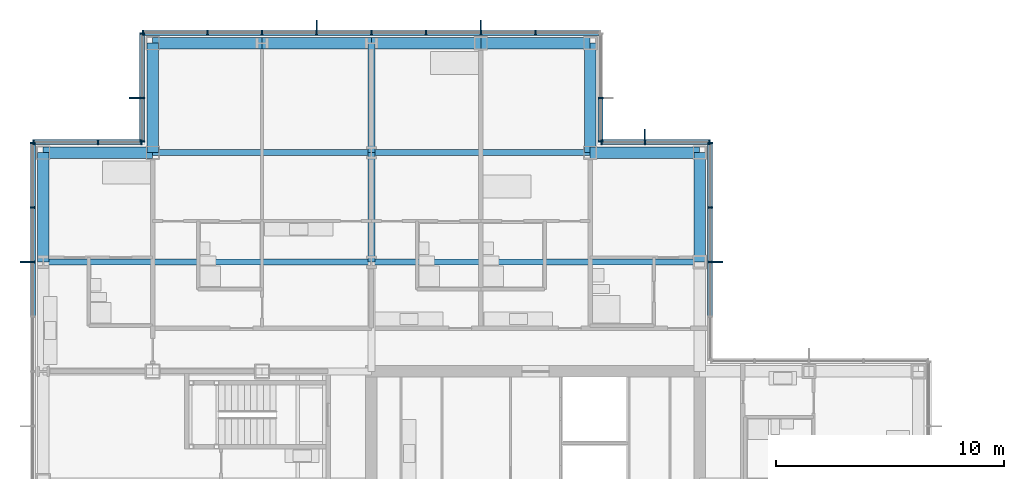
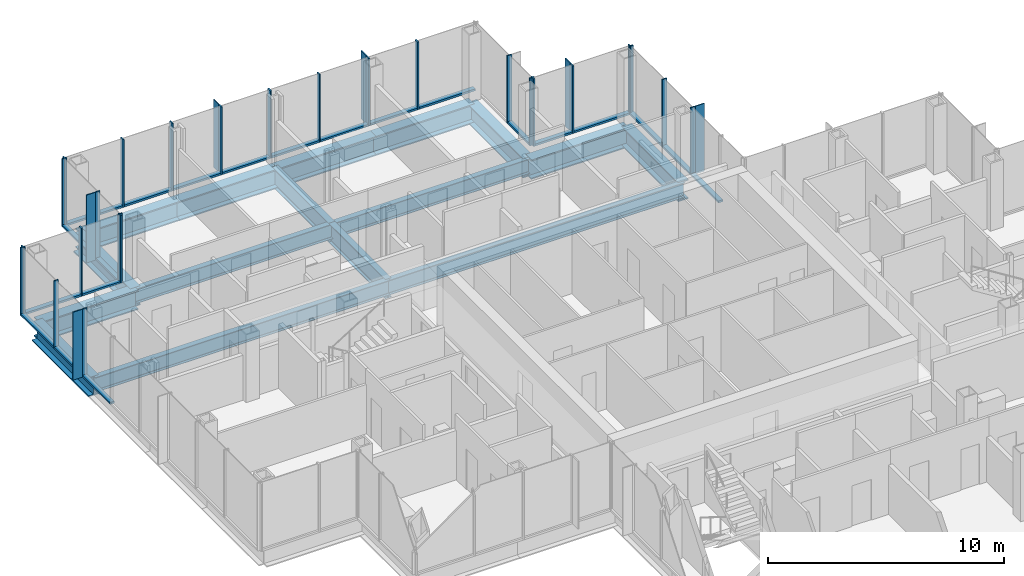
# One storey, part 10 of 20: 52 members, 16 beams, 7 elements without a shape of their own.
"""IFC4 building model written with IfcOpenShell, lengths in metres."""

from ifc_helpers import new_model, si_unit, direction, frame, origin, origin_2d, place, context, subcontext, project, spatial, rectangle, i_section, extrude, material, material_profile, profile_set, type_object, element, aggregate, save


model = new_model("IFC4")

# Units and contexts
model_context = context("Model", 3, precision=1e-05, world=origin(), true_north=direction((0.0, 1.0)))
body_context = subcontext(model_context, "Body", "Model", "MODEL_VIEW")
ifc_project = project(units=[si_unit("LENGTHUNIT", "METRE"), si_unit("AREAUNIT", "SQUARE_METRE"), si_unit("VOLUMEUNIT", "CUBIC_METRE"), si_unit("PLANEANGLEUNIT", "RADIAN"), si_unit("MASSUNIT", "GRAM", prefix="KILO")], contexts=[model_context])

# Site, building, storey
site_placement = place(None, origin())
site = spatial("IfcSite", under=ifc_project, at=site_placement, CompositionType="ELEMENT")
building_placement = place(site_placement, origin())
building = spatial("IfcBuilding", under=site, at=building_placement, Name="Kvirike Care Tower", CompositionType="ELEMENT")
storey_placement = place(building_placement, frame((0.0, 0.0, 94.5)))
storey = spatial("IfcBuildingStorey", under=building, at=storey_placement, Name="L25", CompositionType="ELEMENT", Elevation=94.5)

# Curtain wall, member
ifc_material_1 = material(Name="Anodised aluminium stick system", Category="aluminium")
curtain_wall_type = type_object("IfcCurtainWallType", Name="CW-B STICK CURTAIN WALL", PredefinedType="NOTDEFINED", material=ifc_material_1)
curtain_wall_1_placement = place(storey_placement, origin())
curtain_wall_1 = element("IfcCurtainWall", 1, at=curtain_wall_1_placement, inside=storey, type_object=curtain_wall_type, Name="Curtain wall L25 face 5", PredefinedType="NOTDEFINED")
ifc_material_2 = material(Name="Bronze anodised aluminium fin", Category="aluminium")
ifc_material_profile_1 = material_profile(ifc_material_2, rectangle(XDim=0.050048828125, YDim=0.449951171875, at=origin_2d()), Name="BRONZE FIN 450")
ifc_profile_set_1 = profile_set([ifc_material_profile_1], Name="Bronze anodised aluminium fin")
member_type_1 = type_object("IfcMemberType", Name="BRONZE FIN 450", PredefinedType="USERDEFINED", material=ifc_profile_set_1)
member_1_placement = place(storey_placement, frame((29.594970703125, 48.0, 0.0), z_axis=(0.0, 0.0, 1.0), x_axis=(0.0, 1.0, 0.0)))
member_1 = element("IfcMember", 2, at=member_1_placement, type_object=member_type_1, Name="Bronze fin L25 face 5.3", ObjectType="FIN", PredefinedType="USERDEFINED", context=body_context, shape_type="SweptSolid", body=[
    extrude(rectangle(XDim=0.050048828125, YDim=0.449951171875, at=origin_2d()), origin(), (0.0, 0.0, 1.0), 3.5),
])

curtain_wall_2_placement = place(storey_placement, origin())
curtain_wall_2 = element("IfcCurtainWall", 3, at=curtain_wall_2_placement, inside=storey, type_object=curtain_wall_type, Name="Curtain wall L25 face 6", PredefinedType="NOTDEFINED")
member_2_placement = place(storey_placement, frame((26.39990234375, 53.594970703125, 0.0), z_axis=(0.0, 0.0, 1.0), x_axis=(-1.0, 0.0, 0.0)))
member_2 = element("IfcMember", 4, at=member_2_placement, type_object=member_type_1, Name="Bronze fin L25 face 6.2", ObjectType="FIN", PredefinedType="USERDEFINED", context=body_context, shape_type="SweptSolid", body=[
    extrude(rectangle(XDim=0.050048828125, YDim=0.449951171875, at=origin_2d()), origin(), (0.0, 0.0, 1.0), 3.5),
])

# Curtain wall, members
curtain_wall_3_placement = place(storey_placement, origin())
curtain_wall_3 = element("IfcCurtainWall", 5, at=curtain_wall_3_placement, inside=storey, type_object=curtain_wall_type, Name="Curtain wall L25 face 8", PredefinedType="NOTDEFINED")
member_3_placement = place(storey_placement, frame((19.199951171875, 58.39501953125, 0.0), z_axis=(0.0, 0.0, 1.0), x_axis=(-1.0, 0.0, 0.0)))
member_3 = element("IfcMember", 6, at=member_3_placement, type_object=member_type_1, Name="Bronze fin L25 face 8.3", ObjectType="FIN", PredefinedType="USERDEFINED", context=body_context, shape_type="SweptSolid", body=[
    extrude(rectangle(XDim=0.050048828125, YDim=0.449951171875, at=origin_2d()), origin(), (0.0, 0.0, 1.0), 3.5),
])
member_4_placement = place(storey_placement, frame((12.0, 58.39501953125, 0.0), z_axis=(0.0, 0.0, 1.0), x_axis=(-1.0, 0.0, 0.0)))
member_4 = element("IfcMember", 7, at=member_4_placement, type_object=member_type_1, Name="Bronze fin L25 face 8.6", ObjectType="FIN", PredefinedType="USERDEFINED", context=body_context, shape_type="SweptSolid", body=[
    extrude(rectangle(XDim=0.050048828125, YDim=0.449951171875, at=origin_2d()), origin(), (0.0, 0.0, 1.0), 3.5),
])

# Curtain wall, member
curtain_wall_4_placement = place(storey_placement, origin())
curtain_wall_4 = element("IfcCurtainWall", 8, at=curtain_wall_4_placement, inside=storey, type_object=curtain_wall_type, Name="Curtain wall L25 face 9", PredefinedType="NOTDEFINED")
member_5_placement = place(storey_placement, frame((4.0048828125, 55.199951171875, 0.0), z_axis=(0.0, 0.0, 1.0), x_axis=(0.0, -1.0, 0.0)))
member_5 = element("IfcMember", 9, at=member_5_placement, type_object=member_type_1, Name="Bronze fin L25 face 9.2", ObjectType="FIN", PredefinedType="USERDEFINED", context=body_context, shape_type="SweptSolid", body=[
    extrude(rectangle(XDim=0.050048828125, YDim=0.449951171875, at=origin_2d()), origin(), (0.0, 0.0, 1.0), 3.5),
])

curtain_wall_5_placement = place(storey_placement, origin())
curtain_wall_5 = element("IfcCurtainWall", 10, at=curtain_wall_5_placement, inside=storey, type_object=curtain_wall_type, Name="Curtain wall L25 face 11", PredefinedType="NOTDEFINED")
member_6_placement = place(storey_placement, frame((-0.794921875, 48.0, 0.0), z_axis=(0.0, 0.0, 1.0), x_axis=(0.0, -1.0, 0.0)))
member_6 = element("IfcMember", 11, at=member_6_placement, type_object=member_type_1, Name="Bronze fin L25 face 11.3", ObjectType="FIN", PredefinedType="USERDEFINED", context=body_context, shape_type="SweptSolid", body=[
    extrude(rectangle(XDim=0.050048828125, YDim=0.449951171875, at=origin_2d()), origin(), (0.0, 0.0, 1.0), 3.5),
])

# Member
ifc_material_3 = material(Name="Bronze anodised aluminium mullion", Category="aluminium")
ifc_material_profile_2 = material_profile(ifc_material_3, rectangle(XDim=0.06494140625, YDim=0.219970703125, at=origin_2d()), Name="CW-B MULLION 65x220")
ifc_profile_set_2 = profile_set([ifc_material_profile_2], Name="Bronze anodised aluminium mullion")
member_type_2 = type_object("IfcMemberType", Name="CW-B MULLION 65x220", PredefinedType="MULLION", material=ifc_profile_set_2)
member_7_placement = place(storey_placement, frame((29.260009765625, 48.0, 0.0), z_axis=(0.0, 0.0, 1.0), x_axis=(0.0, 1.0, 0.0)))
member_7 = element("IfcMember", 12, at=member_7_placement, type_object=member_type_2, Name="CW-B mullion L25 face 5.3", PredefinedType="MULLION", context=body_context, shape_type="SweptSolid", body=[
    extrude(rectangle(XDim=0.06494140625, YDim=0.219970703125, at=origin_2d()), origin(), (0.0, 0.0, 1.0), 3.5),
])

member_8_placement = place(storey_placement, frame((29.260009765625, 50.39990234375, 0.0), z_axis=(0.0, 0.0, 1.0), x_axis=(0.0, 1.0, 0.0)))
member_8 = element("IfcMember", 13, at=member_8_placement, type_object=member_type_2, Name="CW-B mullion L25 face 5.4", PredefinedType="MULLION", context=body_context, shape_type="SweptSolid", body=[
    extrude(rectangle(XDim=0.06494140625, YDim=0.219970703125, at=origin_2d()), origin(), (0.0, 0.0, 1.0), 3.5),
])

member_9_placement = place(storey_placement, frame((29.260009765625, 53.2275390625, 0.0), z_axis=(0.0, 0.0, 1.0), x_axis=(0.0, 1.0, 0.0)))
member_9 = element("IfcMember", 14, at=member_9_placement, type_object=member_type_2, Name="CW-B mullion L25 face 5.5", PredefinedType="MULLION", context=body_context, shape_type="SweptSolid", body=[
    extrude(rectangle(XDim=0.06494140625, YDim=0.219970703125, at=origin_2d()), origin(), (0.0, 0.0, 1.0), 3.5),
])

member_10_placement = place(storey_placement, frame((29.2275390625, 53.260009765625, 0.0), z_axis=(0.0, 0.0, 1.0), x_axis=(-1.0, 0.0, 0.0)))
member_10 = element("IfcMember", 15, at=member_10_placement, type_object=member_type_2, Name="CW-B mullion L25 face 6.1", PredefinedType="MULLION", context=body_context, shape_type="SweptSolid", body=[
    extrude(rectangle(XDim=0.06494140625, YDim=0.219970703125, at=origin_2d()), origin(), (0.0, 0.0, 1.0), 3.5),
])

member_11_placement = place(storey_placement, frame((26.39990234375, 53.260009765625, 0.0), z_axis=(0.0, 0.0, 1.0), x_axis=(-1.0, 0.0, 0.0)))
member_11 = element("IfcMember", 16, at=member_11_placement, type_object=member_type_2, Name="CW-B mullion L25 face 6.2", PredefinedType="MULLION", context=body_context, shape_type="SweptSolid", body=[
    extrude(rectangle(XDim=0.06494140625, YDim=0.219970703125, at=origin_2d()), origin(), (0.0, 0.0, 1.0), 3.5),
])

member_12_placement = place(storey_placement, frame((24.492431640625, 53.260009765625, 0.0), z_axis=(0.0, 0.0, 1.0), x_axis=(-1.0, 0.0, 0.0)))
member_12 = element("IfcMember", 17, at=member_12_placement, type_object=member_type_2, Name="CW-B mullion L25 face 6.3", PredefinedType="MULLION", context=body_context, shape_type="SweptSolid", body=[
    extrude(rectangle(XDim=0.06494140625, YDim=0.219970703125, at=origin_2d()), origin(), (0.0, 0.0, 1.0), 3.5),
])

# Curtain wall, members
curtain_wall_6_placement = place(storey_placement, origin())
curtain_wall_6 = element("IfcCurtainWall", 18, at=curtain_wall_6_placement, inside=storey, type_object=curtain_wall_type, Name="Curtain wall L25 face 7", PredefinedType="NOTDEFINED")
member_13_placement = place(storey_placement, frame((24.4599609375, 53.29248046875, 0.0), z_axis=(0.0, 0.0, 1.0), x_axis=(0.0, 1.0, 0.0)))
member_13 = element("IfcMember", 19, at=member_13_placement, type_object=member_type_2, Name="CW-B mullion L25 face 7.1", PredefinedType="MULLION", context=body_context, shape_type="SweptSolid", body=[
    extrude(rectangle(XDim=0.06494140625, YDim=0.219970703125, at=origin_2d()), origin(), (0.0, 0.0, 1.0), 3.5),
])
member_14_placement = place(storey_placement, frame((24.4599609375, 55.199951171875, 0.0), z_axis=(0.0, 0.0, 1.0), x_axis=(0.0, 1.0, 0.0)))
member_14 = element("IfcMember", 20, at=member_14_placement, type_object=member_type_2, Name="CW-B mullion L25 face 7.2", PredefinedType="MULLION", context=body_context, shape_type="SweptSolid", body=[
    extrude(rectangle(XDim=0.06494140625, YDim=0.219970703125, at=origin_2d()), origin(), (0.0, 0.0, 1.0), 3.5),
])

# Member
member_15_placement = place(storey_placement, frame((21.60009765625, 58.06005859375, 0.0), z_axis=(0.0, 0.0, 1.0), x_axis=(-1.0, 0.0, 0.0)))
member_15 = element("IfcMember", 21, at=member_15_placement, type_object=member_type_2, Name="CW-B mullion L25 face 8.2", PredefinedType="MULLION", context=body_context, shape_type="SweptSolid", body=[
    extrude(rectangle(XDim=0.06494140625, YDim=0.219970703125, at=origin_2d()), origin(), (0.0, 0.0, 1.0), 3.5),
])

member_16_placement = place(storey_placement, frame((19.199951171875, 58.06005859375, 0.0), z_axis=(0.0, 0.0, 1.0), x_axis=(-1.0, 0.0, 0.0)))
member_16 = element("IfcMember", 22, at=member_16_placement, type_object=member_type_2, Name="CW-B mullion L25 face 8.3", PredefinedType="MULLION", context=body_context, shape_type="SweptSolid", body=[
    extrude(rectangle(XDim=0.06494140625, YDim=0.219970703125, at=origin_2d()), origin(), (0.0, 0.0, 1.0), 3.5),
])

member_17_placement = place(storey_placement, frame((16.800048828125, 58.06005859375, 0.0), z_axis=(0.0, 0.0, 1.0), x_axis=(-1.0, 0.0, 0.0)))
member_17 = element("IfcMember", 23, at=member_17_placement, type_object=member_type_2, Name="CW-B mullion L25 face 8.4", PredefinedType="MULLION", context=body_context, shape_type="SweptSolid", body=[
    extrude(rectangle(XDim=0.06494140625, YDim=0.219970703125, at=origin_2d()), origin(), (0.0, 0.0, 1.0), 3.5),
])

member_18_placement = place(storey_placement, frame((14.39990234375, 58.06005859375, 0.0), z_axis=(0.0, 0.0, 1.0), x_axis=(-1.0, 0.0, 0.0)))
member_18 = element("IfcMember", 24, at=member_18_placement, type_object=member_type_2, Name="CW-B mullion L25 face 8.5", PredefinedType="MULLION", context=body_context, shape_type="SweptSolid", body=[
    extrude(rectangle(XDim=0.06494140625, YDim=0.219970703125, at=origin_2d()), origin(), (0.0, 0.0, 1.0), 3.5),
])

member_19_placement = place(storey_placement, frame((12.0, 58.06005859375, 0.0), z_axis=(0.0, 0.0, 1.0), x_axis=(-1.0, 0.0, 0.0)))
member_19 = element("IfcMember", 25, at=member_19_placement, type_object=member_type_2, Name="CW-B mullion L25 face 8.6", PredefinedType="MULLION", context=body_context, shape_type="SweptSolid", body=[
    extrude(rectangle(XDim=0.06494140625, YDim=0.219970703125, at=origin_2d()), origin(), (0.0, 0.0, 1.0), 3.5),
])

member_20_placement = place(storey_placement, frame((9.60009765625, 58.06005859375, 0.0), z_axis=(0.0, 0.0, 1.0), x_axis=(-1.0, 0.0, 0.0)))
member_20 = element("IfcMember", 26, at=member_20_placement, type_object=member_type_2, Name="CW-B mullion L25 face 8.7", PredefinedType="MULLION", context=body_context, shape_type="SweptSolid", body=[
    extrude(rectangle(XDim=0.06494140625, YDim=0.219970703125, at=origin_2d()), origin(), (0.0, 0.0, 1.0), 3.5),
])

member_21_placement = place(storey_placement, frame((7.199951171875, 58.06005859375, 0.0), z_axis=(0.0, 0.0, 1.0), x_axis=(-1.0, 0.0, 0.0)))
member_21 = element("IfcMember", 27, at=member_21_placement, type_object=member_type_2, Name="CW-B mullion L25 face 8.8", PredefinedType="MULLION", context=body_context, shape_type="SweptSolid", body=[
    extrude(rectangle(XDim=0.06494140625, YDim=0.219970703125, at=origin_2d()), origin(), (0.0, 0.0, 1.0), 3.5),
])

member_22_placement = place(storey_placement, frame((4.37255859375, 58.06005859375, 0.0), z_axis=(0.0, 0.0, 1.0), x_axis=(-1.0, 0.0, 0.0)))
member_22 = element("IfcMember", 28, at=member_22_placement, type_object=member_type_2, Name="CW-B mullion L25 face 8.9", PredefinedType="MULLION", context=body_context, shape_type="SweptSolid", body=[
    extrude(rectangle(XDim=0.06494140625, YDim=0.219970703125, at=origin_2d()), origin(), (0.0, 0.0, 1.0), 3.5),
])

member_23_placement = place(storey_placement, frame((4.340087890625, 58.027587890625, 0.0), z_axis=(0.0, 0.0, 1.0), x_axis=(0.0, -1.0, 0.0)))
member_23 = element("IfcMember", 29, at=member_23_placement, type_object=member_type_2, Name="CW-B mullion L25 face 9.1", PredefinedType="MULLION", context=body_context, shape_type="SweptSolid", body=[
    extrude(rectangle(XDim=0.06494140625, YDim=0.219970703125, at=origin_2d()), origin(), (0.0, 0.0, 1.0), 3.5),
])

member_24_placement = place(storey_placement, frame((4.340087890625, 55.199951171875, 0.0), z_axis=(0.0, 0.0, 1.0), x_axis=(0.0, -1.0, 0.0)))
member_24 = element("IfcMember", 30, at=member_24_placement, type_object=member_type_2, Name="CW-B mullion L25 face 9.2", PredefinedType="MULLION", context=body_context, shape_type="SweptSolid", body=[
    extrude(rectangle(XDim=0.06494140625, YDim=0.219970703125, at=origin_2d()), origin(), (0.0, 0.0, 1.0), 3.5),
])

member_25_placement = place(storey_placement, frame((4.340087890625, 53.29248046875, 0.0), z_axis=(0.0, 0.0, 1.0), x_axis=(0.0, -1.0, 0.0)))
member_25 = element("IfcMember", 31, at=member_25_placement, type_object=member_type_2, Name="CW-B mullion L25 face 9.3", PredefinedType="MULLION", context=body_context, shape_type="SweptSolid", body=[
    extrude(rectangle(XDim=0.06494140625, YDim=0.219970703125, at=origin_2d()), origin(), (0.0, 0.0, 1.0), 3.5),
])

# Curtain wall, members
curtain_wall_7_placement = place(storey_placement, origin())
curtain_wall_7 = element("IfcCurtainWall", 32, at=curtain_wall_7_placement, inside=storey, type_object=curtain_wall_type, Name="Curtain wall L25 face 10", PredefinedType="NOTDEFINED")
member_26_placement = place(storey_placement, frame((4.3076171875, 53.260009765625, 0.0), z_axis=(0.0, 0.0, 1.0), x_axis=(-1.0, 0.0, 0.0)))
member_26 = element("IfcMember", 33, at=member_26_placement, type_object=member_type_2, Name="CW-B mullion L25 face 10.1", PredefinedType="MULLION", context=body_context, shape_type="SweptSolid", body=[
    extrude(rectangle(XDim=0.06494140625, YDim=0.219970703125, at=origin_2d()), origin(), (0.0, 0.0, 1.0), 3.5),
])
member_27_placement = place(storey_placement, frame((2.39990234375, 53.260009765625, 0.0), z_axis=(0.0, 0.0, 1.0), x_axis=(-1.0, 0.0, 0.0)))
member_27 = element("IfcMember", 34, at=member_27_placement, type_object=member_type_2, Name="CW-B mullion L25 face 10.2", PredefinedType="MULLION", context=body_context, shape_type="SweptSolid", body=[
    extrude(rectangle(XDim=0.06494140625, YDim=0.219970703125, at=origin_2d()), origin(), (0.0, 0.0, 1.0), 3.5),
])
member_28_placement = place(storey_placement, frame((-0.427490234375, 53.260009765625, 0.0), z_axis=(0.0, 0.0, 1.0), x_axis=(-1.0, 0.0, 0.0)))
member_28 = element("IfcMember", 35, at=member_28_placement, type_object=member_type_2, Name="CW-B mullion L25 face 10.3", PredefinedType="MULLION", context=body_context, shape_type="SweptSolid", body=[
    extrude(rectangle(XDim=0.06494140625, YDim=0.219970703125, at=origin_2d()), origin(), (0.0, 0.0, 1.0), 3.5),
])

# Member
member_29_placement = place(storey_placement, frame((-0.4599609375, 53.2275390625, 0.0), z_axis=(0.0, 0.0, 1.0), x_axis=(0.0, -1.0, 0.0)))
member_29 = element("IfcMember", 36, at=member_29_placement, type_object=member_type_2, Name="CW-B mullion L25 face 11.1", PredefinedType="MULLION", context=body_context, shape_type="SweptSolid", body=[
    extrude(rectangle(XDim=0.06494140625, YDim=0.219970703125, at=origin_2d()), origin(), (0.0, 0.0, 1.0), 3.5),
])

member_30_placement = place(storey_placement, frame((-0.4599609375, 50.39990234375, 0.0), z_axis=(0.0, 0.0, 1.0), x_axis=(0.0, -1.0, 0.0)))
member_30 = element("IfcMember", 37, at=member_30_placement, type_object=member_type_2, Name="CW-B mullion L25 face 11.2", PredefinedType="MULLION", context=body_context, shape_type="SweptSolid", body=[
    extrude(rectangle(XDim=0.06494140625, YDim=0.219970703125, at=origin_2d()), origin(), (0.0, 0.0, 1.0), 3.5),
])

member_31_placement = place(storey_placement, frame((-0.4599609375, 48.0, 0.0), z_axis=(0.0, 0.0, 1.0), x_axis=(0.0, -1.0, 0.0)))
member_31 = element("IfcMember", 38, at=member_31_placement, type_object=member_type_2, Name="CW-B mullion L25 face 11.3", PredefinedType="MULLION", context=body_context, shape_type="SweptSolid", body=[
    extrude(rectangle(XDim=0.06494140625, YDim=0.219970703125, at=origin_2d()), origin(), (0.0, 0.0, 1.0), 3.5),
])

ifc_material_4 = material(Name="Bronze anodised aluminium transom", Category="aluminium")
ifc_material_profile_3 = material_profile(ifc_material_4, rectangle(XDim=0.219970703125, YDim=0.10009765625, at=origin_2d()), Name="CW-B TRANSOM 220x100")
ifc_profile_set_3 = profile_set([ifc_material_profile_3], Name="Bronze anodised aluminium transom")
member_type_3 = type_object("IfcMemberType", Name="CW-B TRANSOM 220x100", PredefinedType="USERDEFINED", material=ifc_profile_set_3)
member_32_placement = place(storey_placement, frame((29.260009765625, 45.632568359375, 0.050048828125), z_axis=(0.0, 1.0, 0.0), x_axis=(-1.0, 0.0, 0.0)))
member_32 = element("IfcMember", 39, at=member_32_placement, type_object=member_type_3, Name="CW-B sill transom L25 face 5.2", ObjectType="TRANSOM", PredefinedType="USERDEFINED", context=body_context, shape_type="SweptSolid", body=[
    extrude(rectangle(XDim=0.219970703125, YDim=0.10009765625, at=origin_2d()), origin(), (0.0, 0.0, 1.0), 2.3349609375),
])

member_33_placement = place(storey_placement, frame((29.260009765625, 48.032470703125, 0.050048828125), z_axis=(0.0, 1.0, 0.0), x_axis=(-1.0, 0.0, 0.0)))
member_33 = element("IfcMember", 40, at=member_33_placement, type_object=member_type_3, Name="CW-B sill transom L25 face 5.3", ObjectType="TRANSOM", PredefinedType="USERDEFINED", context=body_context, shape_type="SweptSolid", body=[
    extrude(rectangle(XDim=0.219970703125, YDim=0.10009765625, at=origin_2d()), origin(), (0.0, 0.0, 1.0), 2.3349609375),
])

member_34_placement = place(storey_placement, frame((29.260009765625, 50.4326171875, 0.050048828125), z_axis=(0.0, 1.0, 0.0), x_axis=(-1.0, 0.0, 0.0)))
member_34 = element("IfcMember", 41, at=member_34_placement, type_object=member_type_3, Name="CW-B sill transom L25 face 5.4", ObjectType="TRANSOM", PredefinedType="USERDEFINED", context=body_context, shape_type="SweptSolid", body=[
    extrude(rectangle(XDim=0.219970703125, YDim=0.10009765625, at=origin_2d()), origin(), (0.0, 0.0, 1.0), 2.762451171875),
])

aggregate(curtain_wall_1, [member_7, member_1, member_8, member_9, member_32, member_33, member_34])

member_35_placement = place(storey_placement, frame((29.195068359375, 53.260009765625, 0.050048828125), z_axis=(-1.0, 0.0, 0.0), x_axis=(0.0, -1.0, 0.0)))
member_35 = element("IfcMember", 42, at=member_35_placement, type_object=member_type_3, Name="CW-B sill transom L25 face 6.1", ObjectType="TRANSOM", PredefinedType="USERDEFINED", context=body_context, shape_type="SweptSolid", body=[
    extrude(rectangle(XDim=0.219970703125, YDim=0.10009765625, at=origin_2d()), origin(), (0.0, 0.0, 1.0), 2.762451171875),
])

member_36_placement = place(storey_placement, frame((26.367431640625, 53.260009765625, 0.050048828125), z_axis=(-1.0, 0.0, 0.0), x_axis=(0.0, -1.0, 0.0)))
member_36 = element("IfcMember", 43, at=member_36_placement, type_object=member_type_3, Name="CW-B sill transom L25 face 6.2", ObjectType="TRANSOM", PredefinedType="USERDEFINED", context=body_context, shape_type="SweptSolid", body=[
    extrude(rectangle(XDim=0.219970703125, YDim=0.10009765625, at=origin_2d()), origin(), (0.0, 0.0, 1.0), 1.842529296875),
])

aggregate(curtain_wall_2, [member_10, member_11, member_2, member_12, member_35, member_36])

member_37_placement = place(storey_placement, frame((24.4599609375, 53.324951171875, 0.050048828125), z_axis=(0.0, 1.0, 0.0), x_axis=(-1.0, 0.0, 0.0)))
member_37 = element("IfcMember", 44, at=member_37_placement, type_object=member_type_3, Name="CW-B sill transom L25 face 7.1", ObjectType="TRANSOM", PredefinedType="USERDEFINED", context=body_context, shape_type="SweptSolid", body=[
    extrude(rectangle(XDim=0.219970703125, YDim=0.10009765625, at=origin_2d()), origin(), (0.0, 0.0, 1.0), 1.842529296875),
])

aggregate(curtain_wall_6, [member_13, member_14, member_37])

member_38_placement = place(storey_placement, frame((24.39501953125, 58.06005859375, 0.050048828125), z_axis=(-1.0, 0.0, 0.0), x_axis=(0.0, -1.0, 0.0)))
member_38 = element("IfcMember", 45, at=member_38_placement, type_object=member_type_3, Name="CW-B sill transom L25 face 8.1", ObjectType="TRANSOM", PredefinedType="USERDEFINED", context=body_context, shape_type="SweptSolid", body=[
    extrude(rectangle(XDim=0.219970703125, YDim=0.10009765625, at=origin_2d()), origin(), (0.0, 0.0, 1.0), 2.762451171875),
])

member_39_placement = place(storey_placement, frame((21.5673828125, 58.06005859375, 0.050048828125), z_axis=(-1.0, 0.0, 0.0), x_axis=(0.0, -1.0, 0.0)))
member_39 = element("IfcMember", 46, at=member_39_placement, type_object=member_type_3, Name="CW-B sill transom L25 face 8.2", ObjectType="TRANSOM", PredefinedType="USERDEFINED", context=body_context, shape_type="SweptSolid", body=[
    extrude(rectangle(XDim=0.219970703125, YDim=0.10009765625, at=origin_2d()), origin(), (0.0, 0.0, 1.0), 2.3349609375),
])

member_40_placement = place(storey_placement, frame((19.16748046875, 58.06005859375, 0.050048828125), z_axis=(-1.0, 0.0, 0.0), x_axis=(0.0, -1.0, 0.0)))
member_40 = element("IfcMember", 47, at=member_40_placement, type_object=member_type_3, Name="CW-B sill transom L25 face 8.3", ObjectType="TRANSOM", PredefinedType="USERDEFINED", context=body_context, shape_type="SweptSolid", body=[
    extrude(rectangle(XDim=0.219970703125, YDim=0.10009765625, at=origin_2d()), origin(), (0.0, 0.0, 1.0), 2.3349609375),
])

member_41_placement = place(storey_placement, frame((16.767578125, 58.06005859375, 0.050048828125), z_axis=(-1.0, 0.0, 0.0), x_axis=(0.0, -1.0, 0.0)))
member_41 = element("IfcMember", 48, at=member_41_placement, type_object=member_type_3, Name="CW-B sill transom L25 face 8.4", ObjectType="TRANSOM", PredefinedType="USERDEFINED", context=body_context, shape_type="SweptSolid", body=[
    extrude(rectangle(XDim=0.219970703125, YDim=0.10009765625, at=origin_2d()), origin(), (0.0, 0.0, 1.0), 2.3349609375),
])

member_42_placement = place(storey_placement, frame((14.367431640625, 58.06005859375, 0.050048828125), z_axis=(-1.0, 0.0, 0.0), x_axis=(0.0, -1.0, 0.0)))
member_42 = element("IfcMember", 49, at=member_42_placement, type_object=member_type_3, Name="CW-B sill transom L25 face 8.5", ObjectType="TRANSOM", PredefinedType="USERDEFINED", context=body_context, shape_type="SweptSolid", body=[
    extrude(rectangle(XDim=0.219970703125, YDim=0.10009765625, at=origin_2d()), origin(), (0.0, 0.0, 1.0), 2.3349609375),
])

member_43_placement = place(storey_placement, frame((11.967529296875, 58.06005859375, 0.050048828125), z_axis=(-1.0, 0.0, 0.0), x_axis=(0.0, -1.0, 0.0)))
member_43 = element("IfcMember", 50, at=member_43_placement, type_object=member_type_3, Name="CW-B sill transom L25 face 8.6", ObjectType="TRANSOM", PredefinedType="USERDEFINED", context=body_context, shape_type="SweptSolid", body=[
    extrude(rectangle(XDim=0.219970703125, YDim=0.10009765625, at=origin_2d()), origin(), (0.0, 0.0, 1.0), 2.3349609375),
])

member_44_placement = place(storey_placement, frame((9.5673828125, 58.06005859375, 0.050048828125), z_axis=(-1.0, 0.0, 0.0), x_axis=(0.0, -1.0, 0.0)))
member_44 = element("IfcMember", 51, at=member_44_placement, type_object=member_type_3, Name="CW-B sill transom L25 face 8.7", ObjectType="TRANSOM", PredefinedType="USERDEFINED", context=body_context, shape_type="SweptSolid", body=[
    extrude(rectangle(XDim=0.219970703125, YDim=0.10009765625, at=origin_2d()), origin(), (0.0, 0.0, 1.0), 2.3349609375),
])

member_45_placement = place(storey_placement, frame((7.16748046875, 58.06005859375, 0.050048828125), z_axis=(-1.0, 0.0, 0.0), x_axis=(0.0, -1.0, 0.0)))
member_45 = element("IfcMember", 52, at=member_45_placement, type_object=member_type_3, Name="CW-B sill transom L25 face 8.8", ObjectType="TRANSOM", PredefinedType="USERDEFINED", context=body_context, shape_type="SweptSolid", body=[
    extrude(rectangle(XDim=0.219970703125, YDim=0.10009765625, at=origin_2d()), origin(), (0.0, 0.0, 1.0), 2.762451171875),
])

aggregate(curtain_wall_3, [member_15, member_16, member_3, member_17, member_18, member_19, member_4, member_20, member_21, member_22, member_38, member_39, member_40, member_41, member_42, member_43, member_44, member_45])

member_46_placement = place(storey_placement, frame((4.340087890625, 57.9951171875, 0.050048828125), z_axis=(0.0, -1.0, 0.0), x_axis=(1.0, 0.0, 0.0)))
member_46 = element("IfcMember", 53, at=member_46_placement, type_object=member_type_3, Name="CW-B sill transom L25 face 9.1", ObjectType="TRANSOM", PredefinedType="USERDEFINED", context=body_context, shape_type="SweptSolid", body=[
    extrude(rectangle(XDim=0.219970703125, YDim=0.10009765625, at=origin_2d()), origin(), (0.0, 0.0, 1.0), 2.7626953125),
])

member_47_placement = place(storey_placement, frame((4.340087890625, 55.16748046875, 0.050048828125), z_axis=(0.0, -1.0, 0.0), x_axis=(1.0, 0.0, 0.0)))
member_47 = element("IfcMember", 54, at=member_47_placement, type_object=member_type_3, Name="CW-B sill transom L25 face 9.2", ObjectType="TRANSOM", PredefinedType="USERDEFINED", context=body_context, shape_type="SweptSolid", body=[
    extrude(rectangle(XDim=0.219970703125, YDim=0.10009765625, at=origin_2d()), origin(), (0.0, 0.0, 1.0), 1.842529296875),
])

aggregate(curtain_wall_4, [member_23, member_24, member_5, member_25, member_46, member_47])

member_48_placement = place(storey_placement, frame((4.27490234375, 53.260009765625, 0.050048828125), z_axis=(-1.0, 0.0, 0.0), x_axis=(0.0, -1.0, 0.0)))
member_48 = element("IfcMember", 55, at=member_48_placement, type_object=member_type_3, Name="CW-B sill transom L25 face 10.1", ObjectType="TRANSOM", PredefinedType="USERDEFINED", context=body_context, shape_type="SweptSolid", body=[
    extrude(rectangle(XDim=0.219970703125, YDim=0.10009765625, at=origin_2d()), origin(), (0.0, 0.0, 1.0), 1.84228515625),
])

member_49_placement = place(storey_placement, frame((2.367431640625, 53.260009765625, 0.050048828125), z_axis=(-1.0, 0.0, 0.0), x_axis=(0.0, -1.0, 0.0)))
member_49 = element("IfcMember", 56, at=member_49_placement, type_object=member_type_3, Name="CW-B sill transom L25 face 10.2", ObjectType="TRANSOM", PredefinedType="USERDEFINED", context=body_context, shape_type="SweptSolid", body=[
    extrude(rectangle(XDim=0.219970703125, YDim=0.10009765625, at=origin_2d()), origin(), (0.0, 0.0, 1.0), 2.762451171875),
])

aggregate(curtain_wall_7, [member_26, member_27, member_28, member_48, member_49])

member_50_placement = place(storey_placement, frame((-0.4599609375, 53.195068359375, 0.050048828125), z_axis=(0.0, -1.0, 0.0), x_axis=(1.0, 0.0, 0.0)))
member_50 = element("IfcMember", 57, at=member_50_placement, type_object=member_type_3, Name="CW-B sill transom L25 face 11.1", ObjectType="TRANSOM", PredefinedType="USERDEFINED", context=body_context, shape_type="SweptSolid", body=[
    extrude(rectangle(XDim=0.219970703125, YDim=0.10009765625, at=origin_2d()), origin(), (0.0, 0.0, 1.0), 2.762451171875),
])

member_51_placement = place(storey_placement, frame((-0.4599609375, 50.367431640625, 0.050048828125), z_axis=(0.0, -1.0, 0.0), x_axis=(1.0, 0.0, 0.0)))
member_51 = element("IfcMember", 58, at=member_51_placement, type_object=member_type_3, Name="CW-B sill transom L25 face 11.2", ObjectType="TRANSOM", PredefinedType="USERDEFINED", context=body_context, shape_type="SweptSolid", body=[
    extrude(rectangle(XDim=0.219970703125, YDim=0.10009765625, at=origin_2d()), origin(), (0.0, 0.0, 1.0), 2.3349609375),
])

member_52_placement = place(storey_placement, frame((-0.4599609375, 47.967529296875, 0.050048828125), z_axis=(0.0, -1.0, 0.0), x_axis=(1.0, 0.0, 0.0)))
member_52 = element("IfcMember", 59, at=member_52_placement, type_object=member_type_3, Name="CW-B sill transom L25 face 11.3", ObjectType="TRANSOM", PredefinedType="USERDEFINED", context=body_context, shape_type="SweptSolid", body=[
    extrude(rectangle(XDim=0.219970703125, YDim=0.10009765625, at=origin_2d()), origin(), (0.0, 0.0, 1.0), 2.3349609375),
])

aggregate(curtain_wall_5, [member_29, member_30, member_31, member_6, member_50, member_51, member_52])

# Beams
ifc_material_5 = material(Name="Steel S355", Category="steel")
ifc_material_profile_4 = material_profile(ifc_material_5, i_section(OverallWidth=0.26806640625, OverallDepth=0.77001953125, WebThickness=0.015625, FlangeThickness=0.025390625, FilletRadius=0.01708984375, at=origin_2d()), Name="IPE 750x196")
ifc_profile_set_4 = profile_set([ifc_material_profile_4], Name="Steel S355")
beam_type_1 = type_object("IfcBeamType", Name="FLOOR BEAM IPE 750x196", PredefinedType="BEAM", material=ifc_profile_set_4)
beam_1_placement = place(storey_placement, frame((0.0, 48.0, -0.554931640625), z_axis=(1.0, 0.0, 0.0), x_axis=(0.0, 1.0, 0.0)))
element("IfcBeam", 60, at=beam_1_placement, inside=storey, type_object=beam_type_1, Name="Floor Beam L3-L6 L25", PredefinedType="BEAM", context=body_context, shape_type="SweptSolid", body=[
    extrude(i_section(OverallWidth=0.26806640625, OverallDepth=0.77001953125, WebThickness=0.015625, FlangeThickness=0.025390625, FilletRadius=0.01708984375, at=origin_2d()), origin(), (0.0, 0.0, 1.0), 14.39990234375),
])
beam_2_placement = place(storey_placement, frame((14.39990234375, 48.0, -0.554931640625), z_axis=(1.0, 0.0, 0.0), x_axis=(0.0, 1.0, 0.0)))
element("IfcBeam", 61, at=beam_2_placement, inside=storey, type_object=beam_type_1, Name="Floor Beam L6-L9 L25", PredefinedType="BEAM", context=body_context, shape_type="SweptSolid", body=[
    extrude(i_section(OverallWidth=0.26806640625, OverallDepth=0.77001953125, WebThickness=0.015625, FlangeThickness=0.025390625, FilletRadius=0.01708984375, at=origin_2d()), origin(), (0.0, 0.0, 1.0), 14.400146484375),
])
beam_3_placement = place(storey_placement, frame((4.800048828125, 52.800048828125, -0.554931640625), z_axis=(1.0, 0.0, 0.0), x_axis=(0.0, 1.0, 0.0)))
element("IfcBeam", 62, at=beam_3_placement, inside=storey, type_object=beam_type_1, Name="Floor Beam M4-M6 L25", PredefinedType="BEAM", context=body_context, shape_type="SweptSolid", body=[
    extrude(i_section(OverallWidth=0.26806640625, OverallDepth=0.77001953125, WebThickness=0.015625, FlangeThickness=0.025390625, FilletRadius=0.01708984375, at=origin_2d()), origin(), (0.0, 0.0, 1.0), 9.599853515625),
])
beam_4_placement = place(storey_placement, frame((14.39990234375, 52.800048828125, -0.554931640625), z_axis=(1.0, 0.0, 0.0), x_axis=(0.0, 1.0, 0.0)))
element("IfcBeam", 63, at=beam_4_placement, inside=storey, type_object=beam_type_1, Name="Floor Beam M6-M8 L25", PredefinedType="BEAM", context=body_context, shape_type="SweptSolid", body=[
    extrude(i_section(OverallWidth=0.26806640625, OverallDepth=0.77001953125, WebThickness=0.015625, FlangeThickness=0.025390625, FilletRadius=0.01708984375, at=origin_2d()), origin(), (0.0, 0.0, 1.0), 9.60009765625),
])
ifc_material_6 = material(Name="Steel S355", Category="steel")
ifc_material_profile_5 = material_profile(ifc_material_6, i_section(OverallWidth=0.300048828125, OverallDepth=1.0, WebThickness=0.01904296875, FlangeThickness=0.035888671875, FilletRadius=0.030029296875, at=origin_2d()), Name="HE 1000 B")
ifc_profile_set_5 = profile_set([ifc_material_profile_5], Name="Steel S355")
beam_type_2 = type_object("IfcBeamType", Name="FRAME BEAM HE 1000 B", PredefinedType="BEAM", material=ifc_profile_set_5)
for number, where, z_axis, x_axis, name in (
    (64, (14.39990234375, 48.0, -0.669921875), (0.0, 1.0, 0.0), (-1.0, 0.0, 0.0), "Frame Beam L6-M6 L25"),
    (65, (14.39990234375, 52.800048828125, -0.669921875), (0.0, 1.0, 0.0), (-1.0, 0.0, 0.0), "Frame Beam M6-N6 L25"),
):
    element("IfcBeam", number, at=place(storey_placement, frame(where, z_axis=z_axis, x_axis=x_axis)), inside=storey, type_object=beam_type_2, Name=name, PredefinedType="BEAM", context=body_context, shape_type="SweptSolid", body=[
        extrude(i_section(OverallWidth=0.300048828125, OverallDepth=1.0, WebThickness=0.01904296875, FlangeThickness=0.035888671875, FilletRadius=0.030029296875, at=origin_2d()), origin(), (0.0, 0.0, 1.0), 4.800048828125),
    ])
ifc_material_7 = material(Name="Steel S355", Category="steel")
ifc_material_profile_6 = material_profile(ifc_material_7, i_section(OverallWidth=0.5, OverallDepth=1.0, WebThickness=0.030029296875, FlangeThickness=0.06005859375, at=origin_2d()), Name="PG 1000x500x30x60")
ifc_profile_set_6 = profile_set([ifc_material_profile_6], Name="Steel S355")
beam_type_3 = type_object("IfcBeamType", Name="SPANDREL PG 1000x500x30x60", PredefinedType="SPANDREL", material=ifc_profile_set_6)
for number, where, z_axis, x_axis, name in (
    (66, (0.0, 52.800048828125, -0.669921875), (1.0, 0.0, 0.0), (0.0, 1.0, 0.0), "Spandrel M3-M4 L25"),
    (67, (24.0, 52.800048828125, -0.669921875), (1.0, 0.0, 0.0), (0.0, 1.0, 0.0), "Spandrel M8-M9 L25"),
    (68, (4.800048828125, 57.60009765625, -0.669921875), (1.0, 0.0, 0.0), (0.0, 1.0, 0.0), "Spandrel N4-N5 L25"),
):
    element("IfcBeam", number, at=place(storey_placement, frame(where, z_axis=z_axis, x_axis=x_axis)), inside=storey, type_object=beam_type_3, Name=name, PredefinedType="SPANDREL", context=body_context, shape_type="SweptSolid", body=[
        extrude(i_section(OverallWidth=0.5, OverallDepth=1.0, WebThickness=0.030029296875, FlangeThickness=0.06005859375, at=origin_2d()), origin(), (0.0, 0.0, 1.0), 4.800048828125),
    ])
beam_5_placement = place(storey_placement, frame((9.60009765625, 57.60009765625, -0.669921875), z_axis=(1.0, 0.0, 0.0), x_axis=(0.0, 1.0, 0.0)))
element("IfcBeam", 69, at=beam_5_placement, inside=storey, type_object=beam_type_3, Name="Spandrel N5-N6 L25", PredefinedType="SPANDREL", context=body_context, shape_type="SweptSolid", body=[
    extrude(i_section(OverallWidth=0.5, OverallDepth=1.0, WebThickness=0.030029296875, FlangeThickness=0.06005859375, at=origin_2d()), origin(), (0.0, 0.0, 1.0), 4.7998046875),
])
for number, where, z_axis, x_axis, name in (
    (70, (14.39990234375, 57.60009765625, -0.669921875), (1.0, 0.0, 0.0), (0.0, 1.0, 0.0), "Spandrel N6-N7 L25"),
    (71, (19.199951171875, 57.60009765625, -0.669921875), (1.0, 0.0, 0.0), (0.0, 1.0, 0.0), "Spandrel N7-N8 L25"),
    (72, (0.0, 48.0, -0.669921875), (0.0, 1.0, 0.0), (-1.0, 0.0, 0.0), "Spandrel L3-M3 L25"),
    (73, (4.800048828125, 52.800048828125, -0.669921875), (0.0, 1.0, 0.0), (-1.0, 0.0, 0.0), "Spandrel M4-N4 L25"),
    (74, (24.0, 52.800048828125, -0.669921875), (0.0, 1.0, 0.0), (-1.0, 0.0, 0.0), "Spandrel M8-N8 L25"),
    (75, (28.800048828125, 48.0, -0.669921875), (0.0, 1.0, 0.0), (-1.0, 0.0, 0.0), "Spandrel L9-M9 L25"),
):
    element("IfcBeam", number, at=place(storey_placement, frame(where, z_axis=z_axis, x_axis=x_axis)), inside=storey, type_object=beam_type_3, Name=name, PredefinedType="SPANDREL", context=body_context, shape_type="SweptSolid", body=[
        extrude(i_section(OverallWidth=0.5, OverallDepth=1.0, WebThickness=0.030029296875, FlangeThickness=0.06005859375, at=origin_2d()), origin(), (0.0, 0.0, 1.0), 4.800048828125),
    ])

save(model, "model.ifc")
